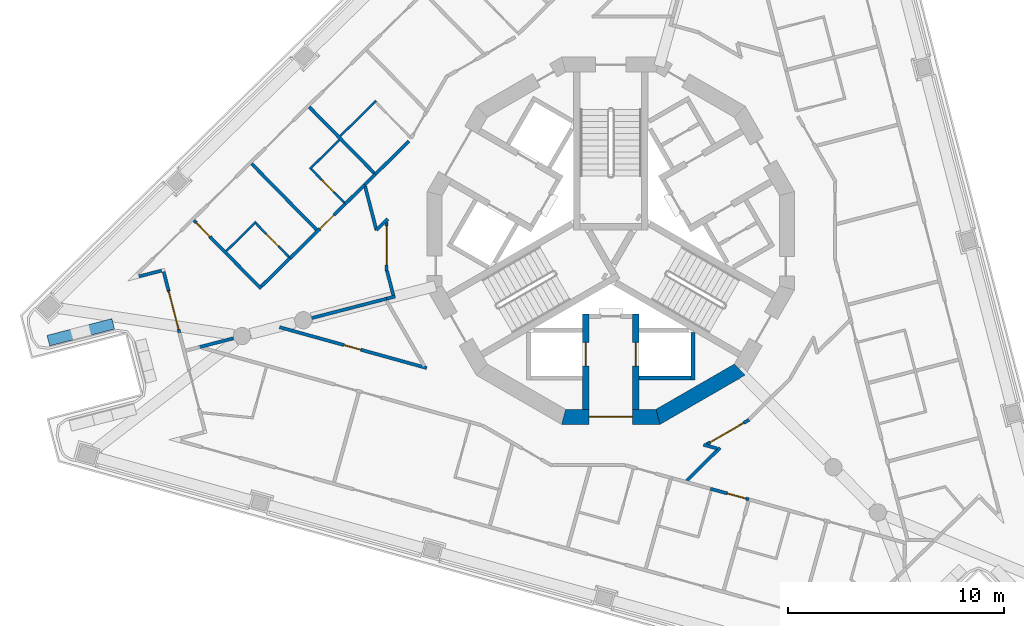
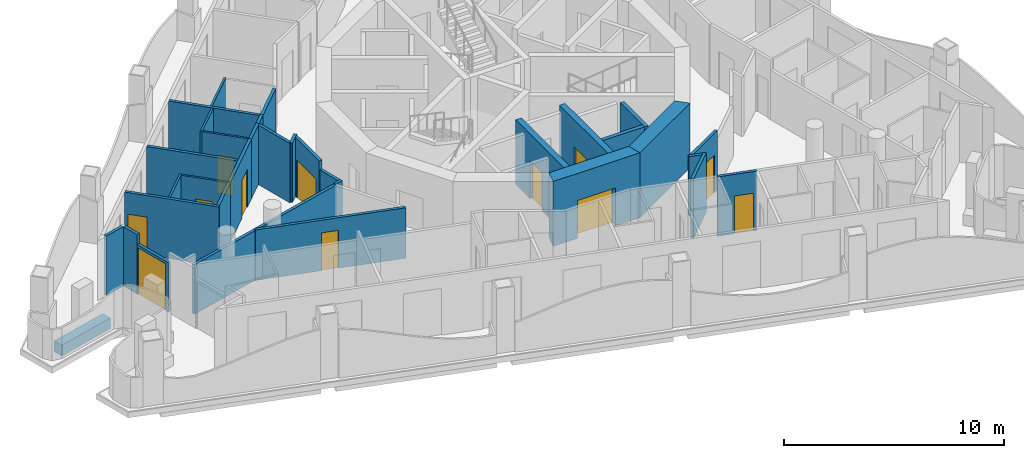
# One storey, part 3 of 14: 34 walls, 12 doors, 12 openings.
"""IFC4 building model written with IfcOpenShell, lengths in metres."""

from ifc_helpers import new_model, si_unit, direction, frame, frame_2d, origin, place, context, subcontext, project, spatial, polyline, rectangle, outline, extrude, material, layer, layer_set, type_object, element, fill, save


model = new_model("IFC4")

# Units and contexts
model_context = context("Model", 3, precision=1e-05, world=origin(), true_north=direction((0.0, 1.0)))
body_context = subcontext(model_context, "Body", "Model", "MODEL_VIEW")
ifc_project = project(units=[si_unit("LENGTHUNIT", "METRE"), si_unit("AREAUNIT", "SQUARE_METRE"), si_unit("VOLUMEUNIT", "CUBIC_METRE"), si_unit("PLANEANGLEUNIT", "RADIAN"), si_unit("MASSUNIT", "GRAM", prefix="KILO")], contexts=[model_context])

# Site, building, storey
site_placement = place(None, origin())
site = spatial("IfcSite", under=ifc_project, at=site_placement, CompositionType="ELEMENT")
building_placement = place(site_placement, origin())
building = spatial("IfcBuilding", under=site, at=building_placement, Name="Trine Commons Tower", CompositionType="ELEMENT")
storey_placement = place(building_placement, frame((0.0, 0.0, 242.10009765625)))
storey = spatial("IfcBuildingStorey", under=building, at=storey_placement, Name="L63", CompositionType="ELEMENT", Elevation=242.10009765625)

# Wall, opening, door
ifc_material_1 = material(Name="Aluminium-framed insulated wall panel", Category="aluminium")
ifc_layer_1 = layer(ifc_material_1, 0.14990234375)
ifc_layer_set_1 = layer_set([ifc_layer_1], Name="Aluminium-framed insulated wall panel")
wall_type_1 = type_object("IfcWallType", Name="Glazed frame wall 150, EI 60", PredefinedType="SOLIDWALL", material=ifc_layer_set_1)
wall_1_placement = place(storey_placement, frame((60.0390625, 58.2451171875, 0.0), z_axis=(0.0, 0.0, 1.0), x_axis=(-0.250341838346, 0.968157509899, 0.0)))
wall_1 = element("IfcWall", 1, at=wall_1_placement, inside=storey, type_object=wall_type_1, Name="Glazed frame wall P3.4", PredefinedType="SOLIDWALL", context=body_context, shape_type="SweptSolid", body=[
    extrude(outline(polyline([(0.0, -0.074951171875), (2.021484375, -0.074951171875), (2.021484375, 0.074951171875), (0.0, 0.074951171875), (0.0, -0.074951171875)])), origin(), (0.0, 0.0, 1.0), 2.75),
])
opening_1_placement = place(wall_1_placement, frame((0.17138671875, 0.0, 0.0)))
opening_1 = element("IfcOpeningElement", 2, at=opening_1_placement, cuts=wall_1, Name="Opening BD-7P3-02", PredefinedType="OPENING", context=body_context, shape_type="SweptSolid", body=[
    extrude(rectangle(XDim=1.800048828125, YDim=2.60009765625, at=frame_2d((0.89990234375, 1.300048828125))), frame((0.0, 0.0849609375, 0.0), z_axis=(0.0, -1.0, 0.0), x_axis=(1.0, 0.0, 0.0)), (0.0, 0.0, 1.0), 0.169921875),
])
ifc_material_2 = material(Name="Anodised aluminium frame with double glazing", Category="aluminium")
door_type_1 = type_object("IfcDoorType", Name="Sliding loggia door 1800x2600", OperationType="SLIDING_TO_LEFT", PredefinedType="DOOR", material=ifc_material_2)
door_1_placement = place(opening_1_placement, origin())
door_1 = element("IfcDoor", 3, at=door_1_placement, inside=storey, type_object=door_type_1, Name="Loggia door P3 2", OperationType="SLIDING_TO_LEFT", OverallHeight=2.60009765625, OverallWidth=1.800048828125, PredefinedType="DOOR", context=body_context, shape_type="SweptSolid", body=[
    extrude(rectangle(XDim=1.800048828125, YDim=2.60009765625, at=frame_2d((0.89990234375, 1.300048828125))), frame((0.0, 0.02490234375, 0.0), z_axis=(0.0, -1.0, 0.0), x_axis=(1.0, 0.0, 0.0)), (0.0, 0.0, 1.0), 0.050048828125),
])
fill(opening_1, door_1)

# Walls
wall_2_placement = place(storey_placement, frame((59.532958984375, 60.202392578125, 0.0), z_axis=(0.0, 0.0, 1.0), x_axis=(-0.250284169086, 0.968172419926, 0.0)))
element("IfcWall", 4, at=wall_2_placement, inside=storey, type_object=wall_type_1, Name="Glazed frame wall P3.5", PredefinedType="SOLIDWALL", context=body_context, shape_type="SweptSolid", body=[
    extrude(outline(polyline([(0.889892578125, 0.074951171875), (0.0, 0.074951171875), (0.0, -0.074951171875), (0.889892578125, -0.074951171875), (0.889892578125, 0.074951171875)])), origin(), (0.0, 0.0, 1.0), 3.2998046875),
])
wall_3_placement = place(storey_placement, frame((59.3251953125, 61.145263671875, 0.0), z_axis=(0.0, 0.0, 1.0), x_axis=(-0.968156774456, -0.250344682538, 0.0)))
element("IfcWall", 5, at=wall_3_placement, inside=storey, type_object=wall_type_1, Name="Glazed frame wall R12", PredefinedType="SOLIDWALL", context=body_context, shape_type="SweptSolid", body=[
    extrude(outline(polyline([(0.110107421875, 0.074951171875), (0.110107421875, -0.074951171875), (1.19580078125, -0.074951171875), (1.19580078125, 0.074951171875), (0.110107421875, 0.074951171875)])), origin(), (0.0, 0.0, 1.0), 3.2998046875),
])
ifc_material_3 = material(Name="Planter trough, precast concrete C40/50", Category="concrete")
ifc_layer_2 = layer(ifc_material_3, 0.5)
ifc_layer_set_2 = layer_set([ifc_layer_2], Name="Planter trough, precast concrete C40/50")
wall_type_2 = type_object("IfcWallType", Name="Planter trough 500x600", PredefinedType="PARAPET", material=ifc_layer_set_2)
wall_4_placement = place(storey_placement, frame((56.974609375, 58.65234375, 0.0), z_axis=(0.0, 0.0, 1.0), x_axis=(-0.968151190511, -0.250366276306, 0.0)))
element("IfcWall", 6, at=wall_4_placement, inside=storey, type_object=wall_type_2, Name="Planter 3", PredefinedType="PARAPET", context=body_context, shape_type="SweptSolid", body=[
    extrude(rectangle(XDim=3.099853515625, YDim=0.5, at=frame_2d((1.5498046875, 0.0))), origin(), (0.0, 0.0, 1.0), 0.599853515625),
])

# Wall, opening, door
ifc_material_4 = material(Name="Concrete C50/60", Category="concrete")
ifc_layer_3 = layer(ifc_material_4, 0.300048828125)
ifc_layer_set_3 = layer_set([ifc_layer_3], Name="Concrete C50/60")
wall_type_3 = type_object("IfcWallType", Name="RC shear wall 300 mm, C50/60", PredefinedType="SHEAR", material=ifc_layer_set_3)
wall_5_placement = place(storey_placement, frame((78.85009765625, 59.10009765625, 0.0), z_axis=(0.0, 0.0, 1.0), x_axis=(0.0, -1.0, 0.0)))
wall_5 = element("IfcWall", 7, at=wall_5_placement, inside=storey, type_object=wall_type_3, Name="Core cross wall SWC-03 L63", PredefinedType="SHEAR", context=body_context, shape_type="SweptSolid", body=[
    extrude(rectangle(XDim=4.400146484375, YDim=0.300048828125, at=frame_2d((2.2001953125, 0.0))), origin(), (0.0, 0.0, 1.0), 3.599853515625),
])
opening_2_placement = place(wall_5_placement, frame((1.300048828125, 0.0, 0.0)))
opening_2 = element("IfcOpeningElement", 8, at=opening_2_placement, cuts=wall_5, Name="Opening LD10", PredefinedType="OPENING", context=body_context, shape_type="SweptSolid", body=[
    extrude(rectangle(XDim=1.10009765625, YDim=2.10009765625, at=frame_2d((0.550048828125, 1.050048828125))), frame((0.0, 0.159912109375, 0.0), z_axis=(0.0, -1.0, 0.0), x_axis=(1.0, 0.0, 0.0)), (0.0, 0.0, 1.0), 0.320068359375),
])
ifc_material_5 = material(Name="Stainless steel sliding door leaves", Category="steel")
door_type_2 = type_object("IfcDoorType", Name="Lift landing door, centre-opening sliding 1100 x 2100, FD90", OperationType="DOUBLE_DOOR_SLIDING", PredefinedType="DOOR", material=ifc_material_5)
door_2_placement = place(opening_2_placement, origin())
door_2 = element("IfcDoor", 9, at=door_2_placement, inside=storey, type_object=door_type_2, Name="Lift landing door FF2 L63", OperationType="DOUBLE_DOOR_SLIDING", OverallHeight=2.10009765625, OverallWidth=1.10009765625, PredefinedType="DOOR", context=body_context, shape_type="SweptSolid", body=[
    extrude(rectangle(XDim=1.10009765625, YDim=2.10009765625, at=frame_2d((0.550048828125, 1.050048828125))), frame((0.0, 0.02490234375, 0.0), z_axis=(0.0, -1.0, 0.0), x_axis=(1.0, 0.0, 0.0)), (0.0, 0.0, 1.0), 0.050048828125),
])
fill(opening_2, door_2)

wall_6_placement = place(storey_placement, frame((81.14990234375, 59.10009765625, 0.0), z_axis=(0.0, 0.0, 1.0), x_axis=(0.0, -1.0, 0.0)))
wall_6 = element("IfcWall", 10, at=wall_6_placement, inside=storey, type_object=wall_type_3, Name="Core cross wall SWC-04 L63", PredefinedType="SHEAR", context=body_context, shape_type="SweptSolid", body=[
    extrude(rectangle(XDim=4.400146484375, YDim=0.300048828125, at=frame_2d((2.2001953125, 0.0))), origin(), (0.0, 0.0, 1.0), 3.599853515625),
])
opening_3_placement = place(wall_6_placement, frame((1.300048828125, 0.0, 0.0)))
opening_3 = element("IfcOpeningElement", 11, at=opening_3_placement, cuts=wall_6, Name="Opening LD9", PredefinedType="OPENING", context=body_context, shape_type="SweptSolid", body=[
    extrude(rectangle(XDim=1.10009765625, YDim=2.10009765625, at=frame_2d((0.550048828125, 1.050048828125))), frame((0.0, 0.159912109375, 0.0), z_axis=(0.0, -1.0, 0.0), x_axis=(1.0, 0.0, 0.0)), (0.0, 0.0, 1.0), 0.320068359375),
])
door_3_placement = place(opening_3_placement, origin())
door_3 = element("IfcDoor", 12, at=door_3_placement, inside=storey, type_object=door_type_2, Name="Lift landing door FF1 L63", OperationType="DOUBLE_DOOR_SLIDING", OverallHeight=2.10009765625, OverallWidth=1.10009765625, PredefinedType="DOOR", context=body_context, shape_type="SweptSolid", body=[
    extrude(rectangle(XDim=1.10009765625, YDim=2.10009765625, at=frame_2d((0.550048828125, 1.050048828125))), frame((0.0, 0.02490234375, 0.0), z_axis=(0.0, -1.0, 0.0), x_axis=(1.0, 0.0, 0.0)), (0.0, 0.0, 1.0), 0.050048828125),
])
fill(opening_3, door_3)

ifc_layer_4 = layer(ifc_material_4, 0.699951171875)
ifc_layer_set_4 = layer_set([ifc_layer_4], Name="Concrete C50/60")
wall_type_4 = type_object("IfcWallType", Name="RC shear wall 700 mm, C50/60", PredefinedType="SHEAR", material=ifc_layer_set_4)
wall_7_placement = place(storey_placement, frame((77.722412109375, 54.349853515625, 0.0), z_axis=(0.0, 0.0, 1.0), x_axis=(1.0, 0.0, 0.0)))
wall_7 = element("IfcWall", 13, at=wall_7_placement, inside=storey, type_object=wall_type_4, Name="Core wall CWG-10 L63", PredefinedType="SHEAR", context=body_context, shape_type="SweptSolid", body=[
    extrude(outline(polyline([(0.0, -0.35009765625), (4.55517578125, -0.35009765625), (4.36767578125, 0.35009765625), (0.1875, 0.35009765625), (0.0, -0.35009765625)])), origin(), (0.0, 0.0, 1.0), 3.599853515625),
])
opening_4_placement = place(wall_7_placement, frame((1.277587890625, 0.0, 0.0)))
opening_4 = element("IfcOpeningElement", 14, at=opening_4_placement, cuts=wall_7, Name="Opening K15.08", PredefinedType="OPENING", context=body_context, shape_type="SweptSolid", body=[
    extrude(rectangle(XDim=2.0, YDim=2.10009765625, at=frame_2d((1.0, 1.050048828125))), frame((0.0, 0.35986328125, 0.0), z_axis=(0.0, -1.0, 0.0), x_axis=(1.0, 0.0, 0.0)), (0.0, 0.0, 1.0), 0.719970703125),
])
ifc_material_6 = material(Name="Steel door leaves, fire-rated", Category="steel")
door_type_3 = type_object("IfcDoorType", Name="Lobby door, double leaf 2000 x 2100, FD60", OperationType="DOUBLE_DOOR_SINGLE_SWING", PredefinedType="DOOR", material=ifc_material_6)
door_4_placement = place(opening_4_placement, origin())
door_4 = element("IfcDoor", 15, at=door_4_placement, inside=storey, type_object=door_type_3, Name="Lobby door, Service and firefighting lobby L63", OperationType="DOUBLE_DOOR_SINGLE_SWING", OverallHeight=2.10009765625, OverallWidth=2.0, PredefinedType="DOOR", context=body_context, shape_type="SweptSolid", body=[
    extrude(rectangle(XDim=2.0, YDim=2.10009765625, at=frame_2d((1.0, 1.050048828125))), frame((0.0, 0.02490234375, 0.0), z_axis=(0.0, -1.0, 0.0), x_axis=(1.0, 0.0, 0.0)), (0.0, 0.0, 1.0), 0.050048828125),
])
fill(opening_4, door_4)

# Walls
wall_8_placement = place(storey_placement, frame((82.1025390625, 54.302978515625, 0.0), z_axis=(0.0, 0.0, 1.0), x_axis=(0.866034756103, 0.499983800959, 0.0)))
element("IfcWall", 16, at=wall_8_placement, inside=storey, type_object=wall_type_4, Name="Core wall CWG-11 L63", PredefinedType="SHEAR", context=body_context, shape_type="SweptSolid", body=[
    extrude(outline(polyline([(0.0, -0.35009765625), (4.55517578125, -0.35009765625), (4.36767578125, 0.35009765625), (0.1875, 0.35009765625), (0.0, -0.35009765625)])), origin(), (0.0, 0.0, 1.0), 3.599853515625),
])
ifc_material_7 = material(Name="Fire-rated gypsum shaft wall system")
ifc_layer_5 = layer(ifc_material_7, 0.199951171875)
ifc_layer_set_5 = layer_set([ifc_layer_5], Name="Fire-rated gypsum shaft wall system")
wall_type_5 = type_object("IfcWallType", Name="Shaft wall 200 mm, EI 120", PredefinedType="PARTITIONING", material=ifc_layer_set_5)
wall_9_placement = place(storey_placement, frame((81.300048828125, 56.14990234375, 0.0), z_axis=(0.0, 0.0, 1.0), x_axis=(1.0, 0.0, 0.0)))
element("IfcWall", 17, at=wall_9_placement, inside=storey, type_object=wall_type_5, Name="Shaft wall L63", PredefinedType="PARTITIONING", context=body_context, shape_type="SweptSolid", body=[
    extrude(rectangle(XDim=2.39990234375, YDim=0.199951171875, at=frame_2d((1.199951171875, 0.0))), origin(), (0.0, 0.0, 1.0), 3.2998046875),
])
wall_10_placement = place(storey_placement, frame((83.800048828125, 58.257080078125, 0.0), z_axis=(0.0, 0.0, 1.0), x_axis=(0.0, -1.0, 0.0)))
element("IfcWall", 18, at=wall_10_placement, inside=storey, type_object=wall_type_5, Name="Shaft wall L63", PredefinedType="PARTITIONING", context=body_context, shape_type="SweptSolid", body=[
    extrude(rectangle(XDim=2.20703125, YDim=0.199951171875, at=frame_2d((1.103515625, 0.0))), origin(), (0.0, 0.0, 1.0), 3.2998046875),
])

# Wall, opening, door
ifc_material_8 = material(Name="Gypsum plasterboard on steel stud", Category="steel")
ifc_layer_6 = layer(ifc_material_8, 0.14990234375)
ifc_layer_set_6 = layer_set([ifc_layer_6], Name="Gypsum plasterboard on steel stud")
wall_type_6 = type_object("IfcWallType", Name="Unit and corridor wall 150 mm, EI 60", PredefinedType="PARTITIONING", material=ifc_layer_set_6)
wall_11_placement = place(storey_placement, frame((60.7119140625, 63.4375, 0.0), z_axis=(0.0, 0.0, 1.0), x_axis=(0.700942148678, -0.713218132276, 0.0)))
wall_11 = element("IfcWall", 19, at=wall_11_placement, inside=storey, type_object=wall_type_6, Name="Partition 002", PredefinedType="PARTITIONING", context=body_context, shape_type="SweptSolid", body=[
    extrude(rectangle(XDim=4.43505859375, YDim=0.14990234375, at=frame_2d((2.217529296875, 0.0))), origin(), (0.0, 0.0, 1.0), 3.2998046875),
])
opening_5_placement = place(wall_11_placement, frame((0.14990234375, 0.0, 0.0)))
opening_5 = element("IfcOpeningElement", 20, at=opening_5_placement, cuts=wall_11, Name="Opening D-7A04", PredefinedType="OPENING", context=body_context, shape_type="SweptSolid", body=[
    extrude(rectangle(XDim=0.89990234375, YDim=2.10009765625, at=frame_2d((0.449951171875, 1.050048828125))), frame((0.0, 0.0849609375, 0.0), z_axis=(0.0, -1.0, 0.0), x_axis=(1.0, 0.0, 0.0)), (0.0, 0.0, 1.0), 0.169921875),
])
ifc_material_9 = material(Name="Timber fire door set", Category="wood")
door_type_4 = type_object("IfcDoorType", Name="Bedroom door 900 x 2100, FD30S", OperationType="NOTDEFINED", PredefinedType="DOOR", material=ifc_material_9)
door_5_placement = place(opening_5_placement, origin())
door_5 = element("IfcDoor", 21, at=door_5_placement, inside=storey, type_object=door_type_4, Name="Door D-7A04", OperationType="SINGLE_SWING_LEFT", OverallHeight=2.10009765625, OverallWidth=0.89990234375, PredefinedType="DOOR", context=body_context, shape_type="SweptSolid", body=[
    extrude(rectangle(XDim=0.89990234375, YDim=2.10009765625, at=frame_2d((0.449951171875, 1.050048828125))), frame((0.0, 0.02490234375, 0.0), z_axis=(0.0, -1.0, 0.0), x_axis=(1.0, 0.0, 0.0)), (0.0, 0.0, 1.0), 0.050048828125),
])
fill(opening_5, door_5)

# Walls
wall_12_placement = place(storey_placement, frame((60.8984375, 57.560302734375, 0.0), z_axis=(0.0, 0.0, 1.0), x_axis=(0.968148722019, 0.250375821623, 0.0)))
element("IfcWall", 22, at=wall_12_placement, inside=storey, type_object=wall_type_6, Name="Partition 003", PredefinedType="PARTITIONING", context=body_context, shape_type="SweptSolid", body=[
    extrude(rectangle(XDim=9.017578125, YDim=0.14990234375, at=frame_2d((4.5087890625, 0.0))), origin(), (0.0, 0.0, 1.0), 2.75),
])
wall_13_placement = place(storey_placement, frame((63.382080078125, 66.060546875, 0.0), z_axis=(0.0, 0.0, 1.0), x_axis=(0.70092652961, -0.71323348217, 0.0)))
element("IfcWall", 23, at=wall_13_placement, inside=storey, type_object=wall_type_6, Name="Partition 007", PredefinedType="PARTITIONING", context=body_context, shape_type="SweptSolid", body=[
    extrude(rectangle(XDim=4.284912109375, YDim=0.14990234375, at=frame_2d((2.142578125, 0.0))), origin(), (0.0, 0.0, 1.0), 3.2998046875),
])
wall_14_placement = place(storey_placement, frame((63.821533203125, 60.380615234375, 0.0), z_axis=(0.0, 0.0, 1.0), x_axis=(0.713509638131, 0.700645414096, 0.0)))
element("IfcWall", 24, at=wall_14_placement, inside=storey, type_object=wall_type_6, Name="Partition 010", PredefinedType="PARTITIONING", context=body_context, shape_type="SweptSolid", body=[
    extrude(rectangle(XDim=1.87890625, YDim=0.14990234375, at=frame_2d((0.939453125, 0.0))), origin(), (0.0, 0.0, 1.0), 3.2998046875),
])

# Wall, opening, door
wall_15_placement = place(storey_placement, frame((64.67333984375, 58.498046875, 0.0), z_axis=(0.0, 0.0, 1.0), x_axis=(0.963632187737, -0.267232121491, 0.0)))
wall_15 = element("IfcWall", 25, at=wall_15_placement, inside=storey, type_object=wall_type_6, Name="Partition 011", PredefinedType="PARTITIONING", context=body_context, shape_type="SweptSolid", body=[
    extrude(rectangle(XDim=7.064697265625, YDim=0.14990234375, at=frame_2d((3.5322265625, 0.0))), origin(), (0.0, 0.0, 1.0), 2.7998046875),
])
opening_6_placement = place(wall_15_placement, frame((3.094970703125, 0.0, 0.0)))
opening_6 = element("IfcOpeningElement", 26, at=opening_6_placement, cuts=wall_15, Name="Opening D-7A26", PredefinedType="OPENING", context=body_context, shape_type="SweptSolid", body=[
    extrude(rectangle(XDim=0.800048828125, YDim=2.10009765625, at=frame_2d((0.39990234375, 1.050048828125))), frame((0.0, 0.0849609375, 0.0), z_axis=(0.0, -1.0, 0.0), x_axis=(1.0, 0.0, 0.0)), (0.0, 0.0, 1.0), 0.169921875),
])
ifc_material_10 = material(Name="Painted timber", Category="wood")
door_type_5 = type_object("IfcDoorType", Name="Toilet door 800 x 2100, NOT RATED", OperationType="NOTDEFINED", PredefinedType="DOOR", material=ifc_material_10)
door_6_placement = place(opening_6_placement, origin())
door_6 = element("IfcDoor", 27, at=door_6_placement, inside=storey, type_object=door_type_5, Name="Door D-7A26", OperationType="SINGLE_SWING_LEFT", OverallHeight=2.10009765625, OverallWidth=0.800048828125, PredefinedType="DOOR", context=body_context, shape_type="SweptSolid", body=[
    extrude(rectangle(XDim=0.800048828125, YDim=2.10009765625, at=frame_2d((0.39990234375, 1.050048828125))), frame((0.0, 0.02490234375, 0.0), z_axis=(0.0, -1.0, 0.0), x_axis=(1.0, 0.0, 0.0)), (0.0, 0.0, 1.0), 0.050048828125),
])
fill(opening_6, door_6)

wall_16_placement = place(storey_placement, frame((65.120361328125, 61.656005859375, 0.0), z_axis=(0.0, 0.0, 1.0), x_axis=(0.713194386998, 0.700966309001, 0.0)))
wall_16 = element("IfcWall", 28, at=wall_16_placement, inside=storey, type_object=wall_type_6, Name="Partition 012", PredefinedType="PARTITIONING", context=body_context, shape_type="SweptSolid", body=[
    extrude(rectangle(XDim=3.693603515625, YDim=0.14990234375, at=frame_2d((1.8466796875, 0.0))), origin(), (0.0, 0.0, 1.0), 3.2998046875),
])
opening_7_placement = place(wall_16_placement, frame((1.99755859375, 0.0, 0.0)))
opening_7 = element("IfcOpeningElement", 29, at=opening_7_placement, cuts=wall_16, Name="Opening D-7A05", PredefinedType="OPENING", context=body_context, shape_type="SweptSolid", body=[
    extrude(rectangle(XDim=0.89990234375, YDim=2.10009765625, at=frame_2d((0.449951171875, 1.050048828125))), frame((0.0, 0.0849609375, 0.0), z_axis=(0.0, -1.0, 0.0), x_axis=(1.0, 0.0, 0.0)), (0.0, 0.0, 1.0), 0.169921875),
])
door_7_placement = place(opening_7_placement, origin())
door_7 = element("IfcDoor", 30, at=door_7_placement, inside=storey, type_object=door_type_4, Name="Door D-7A05", OperationType="SINGLE_SWING_RIGHT", OverallHeight=2.10009765625, OverallWidth=0.89990234375, PredefinedType="DOOR", context=body_context, shape_type="SweptSolid", body=[
    extrude(rectangle(XDim=0.89990234375, YDim=2.10009765625, at=frame_2d((0.449951171875, 1.050048828125))), frame((0.0, 0.02490234375, 0.0), z_axis=(0.0, -1.0, 0.0), x_axis=(1.0, 0.0, 0.0)), (0.0, 0.0, 1.0), 0.050048828125),
])
fill(opening_7, door_7)

# Walls
wall_17_placement = place(storey_placement, frame((66.051025390625, 68.6845703125, 0.0), z_axis=(0.0, 0.0, 1.0), x_axis=(0.700808262034, -0.713349689748, 0.0)))
element("IfcWall", 31, at=wall_17_placement, inside=storey, type_object=wall_type_6, Name="Partition 013", PredefinedType="PARTITIONING", context=body_context, shape_type="SweptSolid", body=[
    extrude(rectangle(XDim=4.360595703125, YDim=0.14990234375, at=frame_2d((2.18017578125, 0.0))), origin(), (0.0, 0.0, 1.0), 3.2998046875),
])
wall_18_placement = place(storey_placement, frame((67.714111328125, 64.205078125, 0.0), z_axis=(0.0, 0.0, 1.0), x_axis=(0.712981774693, 0.70118256464, 0.0)))
element("IfcWall", 32, at=wall_18_placement, inside=storey, type_object=wall_type_6, Name="Partition 018", PredefinedType="PARTITIONING", context=body_context, shape_type="SweptSolid", body=[
    extrude(rectangle(XDim=1.26220703125, YDim=0.14990234375, at=frame_2d((0.631103515625, 0.0))), origin(), (0.0, 0.0, 1.0), 3.2998046875),
])
wall_19_placement = place(storey_placement, frame((68.630859375, 65.016357421875, 0.0), z_axis=(0.0, 0.0, 1.0), x_axis=(0.250220542644, -0.968188865893, 0.0)))
element("IfcWall", 33, at=wall_19_placement, inside=storey, type_object=wall_type_6, Name="Partition 019", PredefinedType="PARTITIONING", context=body_context, shape_type="SweptSolid", body=[
    extrude(rectangle(XDim=2.0908203125, YDim=0.14990234375, at=frame_2d((1.04541015625, 0.0))), origin(), (0.0, 0.0, 1.0), 3.2998046875),
])
wall_20_placement = place(storey_placement, frame((68.612060546875, 65.091064453125, 0.0), z_axis=(0.0, 0.0, 1.0), x_axis=(0.712699057128, 0.701469923781, 0.0)))
element("IfcWall", 34, at=wall_20_placement, inside=storey, type_object=wall_type_6, Name="Partition 020", PredefinedType="PARTITIONING", context=body_context, shape_type="SweptSolid", body=[
    extrude(rectangle(XDim=0.69580078125, YDim=0.14990234375, at=frame_2d((0.347900390625, 0.0))), origin(), (0.0, 0.0, 1.0), 3.2998046875),
])
wall_21_placement = place(storey_placement, frame((69.10205078125, 65.572998046875, 0.0), z_axis=(0.0, 0.0, 1.0), x_axis=(0.713007842216, 0.701156057478, 0.0)))
element("IfcWall", 35, at=wall_21_placement, inside=storey, type_object=wall_type_6, Name="Partition 023", PredefinedType="PARTITIONING", context=body_context, shape_type="SweptSolid", body=[
    extrude(rectangle(XDim=2.18359375, YDim=0.14990234375, at=frame_2d((1.091796875, 0.0))), origin(), (0.0, 0.0, 1.0), 3.2998046875),
])
wall_22_placement = place(storey_placement, frame((69.157958984375, 62.991943359375, 0.0), z_axis=(0.0, 0.0, 1.0), x_axis=(0.712433157826, 0.701739977221, 0.0)))
element("IfcWall", 36, at=wall_22_placement, inside=storey, type_object=wall_type_6, Name="Partition 024", PredefinedType="PARTITIONING", context=body_context, shape_type="SweptSolid", body=[
    extrude(rectangle(XDim=0.730712890625, YDim=0.14990234375, at=frame_2d((0.365234375, 0.0))), origin(), (0.0, 0.0, 1.0), 3.2998046875),
])
wall_23_placement = place(storey_placement, frame((69.625, 59.81689453125, 0.0), z_axis=(0.0, 0.0, 1.0), x_axis=(0.968355193071, 0.249576080688, 0.0)))
element("IfcWall", 37, at=wall_23_placement, inside=storey, type_object=wall_type_6, Name="Partition 026", PredefinedType="PARTITIONING", context=body_context, shape_type="SweptSolid", body=[
    extrude(rectangle(XDim=0.415771484375, YDim=0.14990234375, at=frame_2d((0.2080078125, 0.0))), origin(), (0.0, 0.0, 1.0), 2.7998046875),
])

# Wall, opening, door
wall_24_placement = place(storey_placement, frame((69.625, 61.10498046875, 0.0), z_axis=(0.0, 0.0, 1.0), x_axis=(0.0, 1.0, 0.0)))
wall_24 = element("IfcWall", 38, at=wall_24_placement, inside=storey, type_object=wall_type_6, Name="Partition 027", PredefinedType="PARTITIONING", context=body_context, shape_type="SweptSolid", body=[
    extrude(rectangle(XDim=2.27197265625, YDim=0.14990234375, at=frame_2d((1.135986328125, 0.0))), origin(), (0.0, 0.0, 1.0), 3.2998046875),
])
opening_8_placement = place(wall_24_placement, frame((0.28271484375, 0.0, 0.0)))
opening_8 = element("IfcOpeningElement", 39, at=opening_8_placement, cuts=wall_24, Name="Opening D-7A03", PredefinedType="OPENING", context=body_context, shape_type="SweptSolid", body=[
    extrude(rectangle(XDim=1.800048828125, YDim=2.10009765625, at=frame_2d((0.89990234375, 1.050048828125))), frame((0.0, 0.0849609375, 0.0), z_axis=(0.0, -1.0, 0.0), x_axis=(1.0, 0.0, 0.0)), (0.0, 0.0, 1.0), 0.169921875),
])
door_type_6 = type_object("IfcDoorType", Name="Cluster entrance door 1800 x 2100, double leaf, FD30S", OperationType="DOUBLE_DOOR_DOUBLE_SWING", PredefinedType="DOOR", material=ifc_material_9)
door_8_placement = place(opening_8_placement, origin())
door_8 = element("IfcDoor", 40, at=door_8_placement, inside=storey, type_object=door_type_6, Name="Door D-7A03", OperationType="DOUBLE_DOOR_DOUBLE_SWING", OverallHeight=2.10009765625, OverallWidth=1.800048828125, PredefinedType="DOOR", context=body_context, shape_type="SweptSolid", body=[
    extrude(rectangle(XDim=1.800048828125, YDim=2.10009765625, at=frame_2d((0.89990234375, 1.050048828125))), frame((0.0, 0.02490234375, 0.0), z_axis=(0.0, -1.0, 0.0), x_axis=(1.0, 0.0, 0.0)), (0.0, 0.0, 1.0), 0.050048828125),
])
fill(opening_8, door_8)

# Walls
wall_25_placement = place(storey_placement, frame((69.643798828125, 61.107421875, 0.0), z_axis=(0.0, 0.0, 1.0), x_axis=(0.249991617467, -0.968248000874, 0.0)))
element("IfcWall", 41, at=wall_25_placement, inside=storey, type_object=wall_type_6, Name="Partition 028", PredefinedType="PARTITIONING", context=body_context, shape_type="SweptSolid", body=[
    extrude(rectangle(XDim=1.169921875, YDim=0.14990234375, at=frame_2d((0.5849609375, 0.0))), origin(), (0.0, 0.0, 1.0), 2.7998046875),
])
wall_26_placement = place(storey_placement, frame((83.506591796875, 51.3955078125, 0.0), z_axis=(0.0, 0.0, 1.0), x_axis=(0.712824796749, 0.701342148412, 0.0)))
element("IfcWall", 42, at=wall_26_placement, inside=storey, type_object=wall_type_6, Name="Partition 065", PredefinedType="PARTITIONING", context=body_context, shape_type="SweptSolid", body=[
    extrude(rectangle(XDim=2.168701171875, YDim=0.14990234375, at=frame_2d((1.08447265625, 0.0))), origin(), (0.0, 0.0, 1.0), 3.2998046875),
])
wall_27_placement = place(storey_placement, frame((84.290771484375, 53.058837890625, 0.0), z_axis=(0.0, 0.0, 1.0), x_axis=(0.964146228047, -0.265371533785, 0.0)))
element("IfcWall", 43, at=wall_27_placement, inside=storey, type_object=wall_type_6, Name="Partition 069", PredefinedType="PARTITIONING", context=body_context, shape_type="SweptSolid", body=[
    extrude(rectangle(XDim=0.65966796875, YDim=0.14990234375, at=frame_2d((0.329833984375, 0.0))), origin(), (0.0, 0.0, 1.0), 3.2998046875),
])

# Wall, opening, door
wall_28_placement = place(storey_placement, frame((84.427978515625, 53.076416015625, 0.0), z_axis=(0.0, 0.0, 1.0), x_axis=(0.866072877359, 0.499917764341, 0.0)))
wall_28 = element("IfcWall", 44, at=wall_28_placement, inside=storey, type_object=wall_type_6, Name="Partition 070", PredefinedType="PARTITIONING", context=body_context, shape_type="SweptSolid", body=[
    extrude(rectangle(XDim=2.2724609375, YDim=0.14990234375, at=frame_2d((1.13623046875, 0.0))), origin(), (0.0, 0.0, 1.0), 3.2998046875),
])
opening_9_placement = place(wall_28_placement, frame((0.188720703125, 0.0, 0.0)))
opening_9 = element("IfcOpeningElement", 45, at=opening_9_placement, cuts=wall_28, Name="Opening D-7A02", PredefinedType="OPENING", context=body_context, shape_type="SweptSolid", body=[
    extrude(rectangle(XDim=1.800048828125, YDim=2.10009765625, at=frame_2d((0.89990234375, 1.050048828125))), frame((0.0, 0.0849609375, 0.0), z_axis=(0.0, -1.0, 0.0), x_axis=(1.0, 0.0, 0.0)), (0.0, 0.0, 1.0), 0.169921875),
])
door_9_placement = place(opening_9_placement, frame((1.800048828125, 0.0, 0.0), z_axis=(0.0, 0.0, 1.0), x_axis=(-1.0, 0.0, 0.0)))
door_9 = element("IfcDoor", 46, at=door_9_placement, inside=storey, type_object=door_type_6, Name="Door D-7A02", OperationType="DOUBLE_DOOR_DOUBLE_SWING", OverallHeight=2.10009765625, OverallWidth=1.800048828125, PredefinedType="DOOR", context=body_context, shape_type="SweptSolid", body=[
    extrude(rectangle(XDim=1.800048828125, YDim=2.10009765625, at=frame_2d((0.89990234375, 1.050048828125))), frame((0.0, 0.02490234375, 0.0), z_axis=(0.0, -1.0, 0.0), x_axis=(1.0, 0.0, 0.0)), (0.0, 0.0, 1.0), 0.050048828125),
])
fill(opening_9, door_9)

wall_29_placement = place(storey_placement, frame((84.61083984375, 51.0224609375, 0.0), z_axis=(0.0, 0.0, 1.0), x_axis=(0.963673001046, -0.267084906077, 0.0)))
wall_29 = element("IfcWall", 47, at=wall_29_placement, inside=storey, type_object=wall_type_6, Name="Partition 071", PredefinedType="PARTITIONING", context=body_context, shape_type="SweptSolid", body=[
    extrude(rectangle(XDim=1.847412109375, YDim=0.14990234375, at=frame_2d((0.923828125, 0.0))), origin(), (0.0, 0.0, 1.0), 3.2998046875),
])
opening_10_placement = place(wall_29_placement, frame((0.79736328125, 0.0, 0.0)))
opening_10 = element("IfcOpeningElement", 48, at=opening_10_placement, cuts=wall_29, Name="Opening D-7A21", PredefinedType="OPENING", context=body_context, shape_type="SweptSolid", body=[
    extrude(rectangle(XDim=0.89990234375, YDim=2.10009765625, at=frame_2d((0.449951171875, 1.050048828125))), frame((0.0, 0.0849609375, 0.0), z_axis=(0.0, -1.0, 0.0), x_axis=(1.0, 0.0, 0.0)), (0.0, 0.0, 1.0), 0.169921875),
])
door_10_placement = place(opening_10_placement, frame((0.89990234375, 0.0, 0.0), z_axis=(0.0, 0.0, 1.0), x_axis=(-1.0, 0.0, 0.0)))
door_10 = element("IfcDoor", 49, at=door_10_placement, inside=storey, type_object=door_type_4, Name="Door D-7A21", OperationType="SINGLE_SWING_LEFT", OverallHeight=2.10009765625, OverallWidth=0.89990234375, PredefinedType="DOOR", context=body_context, shape_type="SweptSolid", body=[
    extrude(rectangle(XDim=0.89990234375, YDim=2.10009765625, at=frame_2d((0.449951171875, 1.050048828125))), frame((0.0, 0.02490234375, 0.0), z_axis=(0.0, -1.0, 0.0), x_axis=(1.0, 0.0, 0.0)), (0.0, 0.0, 1.0), 0.050048828125),
])
fill(opening_10, door_10)

# Wall
ifc_layer_7 = layer(ifc_material_8, 0.10009765625)
ifc_layer_set_7 = layer_set([ifc_layer_7], Name="Gypsum plasterboard on steel stud")
wall_type_7 = type_object("IfcWallType", Name="Unit partition 100 mm, no rating", PredefinedType="PARTITIONING", material=ifc_layer_set_7)
wall_30_placement = place(storey_placement, frame((62.20947265625, 62.0205078125, 0.0), z_axis=(0.0, 0.0, 1.0), x_axis=(0.713229664058, 0.70093041474, 0.0)))
element("IfcWall", 50, at=wall_30_placement, inside=storey, type_object=wall_type_7, Name="Partition 006", PredefinedType="PARTITIONING", context=body_context, shape_type="SweptSolid", body=[
    extrude(rectangle(XDim=1.925537109375, YDim=0.10009765625, at=frame_2d((0.962890625, 0.0))), origin(), (0.0, 0.0, 1.0), 3.2998046875),
])

# Wall, opening, door
wall_31_placement = place(storey_placement, frame((63.58203125, 63.29931640625, 0.0), z_axis=(0.0, 0.0, 1.0), x_axis=(0.700793702446, -0.713363993073, 0.0)))
wall_31 = element("IfcWall", 51, at=wall_31_placement, inside=storey, type_object=wall_type_7, Name="Partition 009", PredefinedType="PARTITIONING", context=body_context, shape_type="SweptSolid", body=[
    extrude(rectangle(XDim=2.17529296875, YDim=0.10009765625, at=frame_2d((1.087646484375, 0.0))), origin(), (0.0, 0.0, 1.0), 3.2998046875),
])
opening_11_placement = place(wall_31_placement, frame((0.6875, 0.0, 0.0)))
opening_11 = element("IfcOpeningElement", 52, at=opening_11_placement, cuts=wall_31, Name="Opening D-7A28", PredefinedType="OPENING", context=body_context, shape_type="SweptSolid", body=[
    extrude(rectangle(XDim=0.800048828125, YDim=2.10009765625, at=frame_2d((0.39990234375, 1.050048828125))), frame((0.0, 0.06005859375, 0.0), z_axis=(0.0, -1.0, 0.0), x_axis=(1.0, 0.0, 0.0)), (0.0, 0.0, 1.0), 0.1201171875),
])
door_type_7 = type_object("IfcDoorType", Name="Internal door 800 x 2100, NOT RATED", OperationType="NOTDEFINED", PredefinedType="DOOR", material=ifc_material_10)
door_11_placement = place(opening_11_placement, origin())
door_11 = element("IfcDoor", 53, at=door_11_placement, inside=storey, type_object=door_type_7, Name="Door D-7A28", OperationType="SINGLE_SWING_LEFT", OverallHeight=2.10009765625, OverallWidth=0.800048828125, PredefinedType="DOOR", context=body_context, shape_type="SweptSolid", body=[
    extrude(rectangle(XDim=0.800048828125, YDim=2.10009765625, at=frame_2d((0.39990234375, 1.050048828125))), frame((0.0, 0.02490234375, 0.0), z_axis=(0.0, -1.0, 0.0), x_axis=(1.0, 0.0, 0.0)), (0.0, 0.0, 1.0), 0.050048828125),
])
fill(opening_11, door_11)

# Wall
wall_32_placement = place(storey_placement, frame((66.068359375, 65.81298828125, 0.0), z_axis=(0.0, 0.0, 1.0), x_axis=(0.713230757354, 0.700929302258, 0.0)))
element("IfcWall", 54, at=wall_32_placement, inside=storey, type_object=wall_type_7, Name="Partition 014", PredefinedType="PARTITIONING", context=body_context, shape_type="SweptSolid", body=[
    extrude(rectangle(XDim=1.925048828125, YDim=0.10009765625, at=frame_2d((0.96240234375, 0.0))), origin(), (0.0, 0.0, 1.0), 3.2998046875),
])

# Wall, opening, door
wall_33_placement = place(storey_placement, frame((66.138916015625, 65.812255859375, 0.0), z_axis=(0.0, 0.0, 1.0), x_axis=(0.701018173636, -0.713143407901, 0.0)))
wall_33 = element("IfcWall", 55, at=wall_33_placement, inside=storey, type_object=wall_type_7, Name="Partition 015", PredefinedType="PARTITIONING", context=body_context, shape_type="SweptSolid", body=[
    extrude(rectangle(XDim=2.174560546875, YDim=0.10009765625, at=frame_2d((1.08740234375, 0.0))), origin(), (0.0, 0.0, 1.0), 3.2998046875),
])
opening_12_placement = place(wall_33_placement, frame((0.687255859375, 0.0, 0.0)))
opening_12 = element("IfcOpeningElement", 56, at=opening_12_placement, cuts=wall_33, Name="Opening D-7A29", PredefinedType="OPENING", context=body_context, shape_type="SweptSolid", body=[
    extrude(rectangle(XDim=0.800048828125, YDim=2.10009765625, at=frame_2d((0.39990234375, 1.050048828125))), frame((0.0, 0.06005859375, 0.0), z_axis=(0.0, -1.0, 0.0), x_axis=(1.0, 0.0, 0.0)), (0.0, 0.0, 1.0), 0.1201171875),
])
door_12_placement = place(opening_12_placement, frame((0.800048828125, 0.0, 0.0), z_axis=(0.0, 0.0, 1.0), x_axis=(-1.0, 0.0, 0.0)))
door_12 = element("IfcDoor", 57, at=door_12_placement, inside=storey, type_object=door_type_7, Name="Door D-7A29", OperationType="SINGLE_SWING_RIGHT", OverallHeight=2.10009765625, OverallWidth=0.800048828125, PredefinedType="DOOR", context=body_context, shape_type="SweptSolid", body=[
    extrude(rectangle(XDim=0.800048828125, YDim=2.10009765625, at=frame_2d((0.39990234375, 1.050048828125))), frame((0.0, 0.02490234375, 0.0), z_axis=(0.0, -1.0, 0.0), x_axis=(1.0, 0.0, 0.0)), (0.0, 0.0, 1.0), 0.050048828125),
])
fill(opening_12, door_12)

# Wall
wall_34_placement = place(storey_placement, frame((67.478515625, 67.338623046875, 0.0), z_axis=(0.0, 0.0, 1.0), x_axis=(0.713275639023, 0.700883629982, 0.0)))
element("IfcWall", 58, at=wall_34_placement, inside=storey, type_object=wall_type_7, Name="Partition 017", PredefinedType="PARTITIONING", context=body_context, shape_type="SweptSolid", body=[
    extrude(rectangle(XDim=2.32470703125, YDim=0.10009765625, at=frame_2d((1.162353515625, 0.0))), origin(), (0.0, 0.0, 1.0), 3.2998046875),
])

save(model, "model.ifc")
